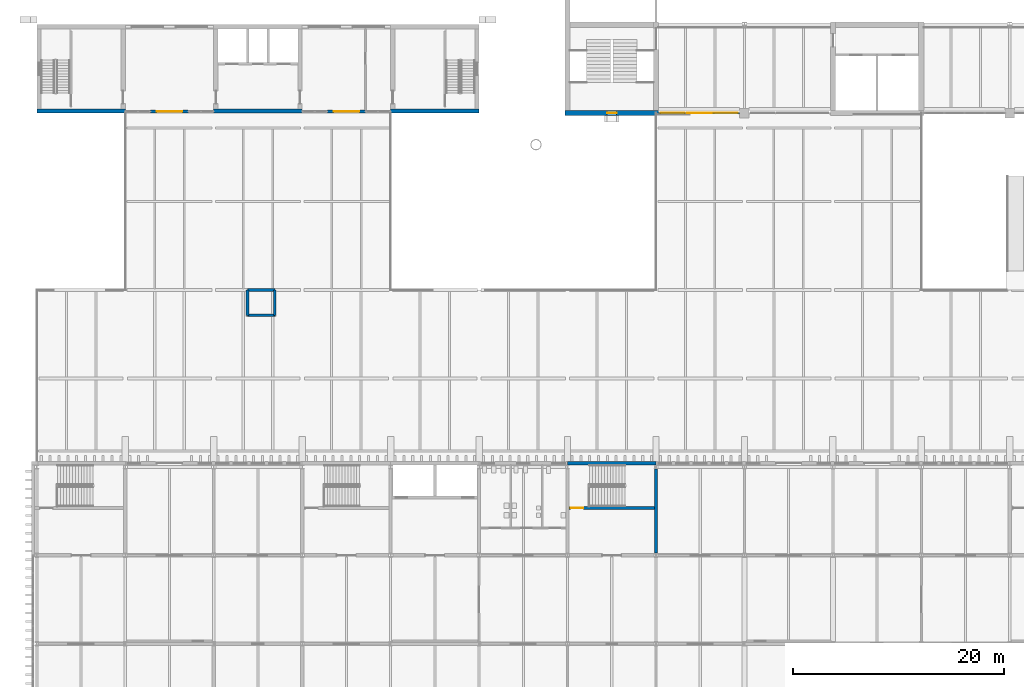
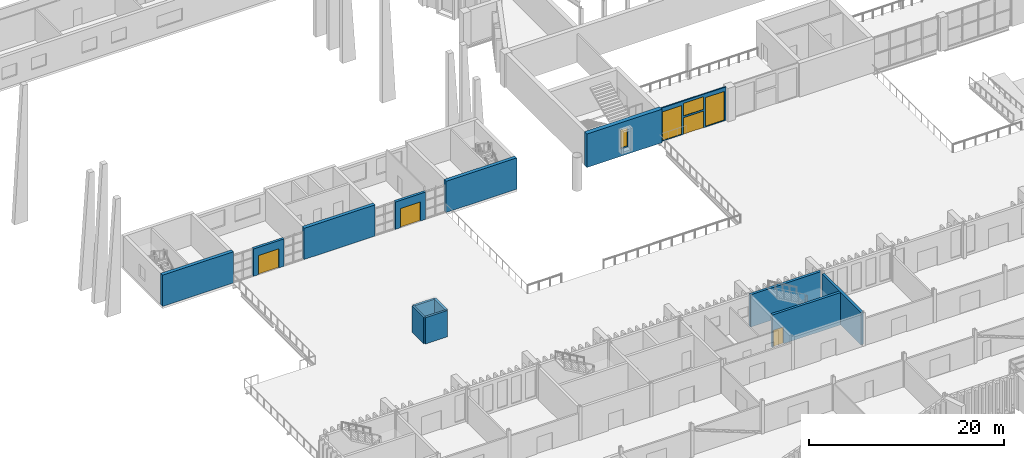
# One storey, part 59 of 96: 14 walls, 4 doors, 4 windows, 8 openings.
"""IFC4 building model written with IfcOpenShell, lengths in metres."""

from ifc_helpers import new_model, si_unit, direction, frame, frame_2d, origin, place, context, subcontext, project, spatial, rectangle, extrude, material, layer, layer_set, type_object, element, fill, save


model = new_model("IFC4")

# Units and contexts
model_context = context("Model", 3, precision=1e-05, world=origin(), true_north=direction((0.0, 1.0)))
body_context = subcontext(model_context, "Body", "Model", "MODEL_VIEW")
ifc_project = project(units=[si_unit("LENGTHUNIT", "METRE"), si_unit("AREAUNIT", "SQUARE_METRE"), si_unit("VOLUMEUNIT", "CUBIC_METRE"), si_unit("PLANEANGLEUNIT", "RADIAN"), si_unit("MASSUNIT", "GRAM", prefix="KILO")], contexts=[model_context])

# Site, building, storey
site_placement = place(None, origin())
site = spatial("IfcSite", under=ifc_project, at=site_placement, CompositionType="ELEMENT")
building_placement = place(site_placement, origin())
building = spatial("IfcBuilding", under=site, at=building_placement, Name="Cresset Court Congress Hotel", CompositionType="ELEMENT")
storey_placement = place(building_placement, frame((0.0, 0.0, 6.0)))
storey = spatial("IfcBuildingStorey", under=building, at=storey_placement, Name="L01", CompositionType="ELEMENT", Elevation=6.0)

# Wall
ifc_material_1 = material(Name="Concrete C50", Category="concrete")
ifc_layer_1 = layer(ifc_material_1, 0.300048828125)
ifc_layer_set_1 = layer_set([ifc_layer_1], Name="Core wall 300 Concrete C50")
wall_type_1 = type_object("IfcWallType", Name="Core wall 300 Concrete C50", PredefinedType="SHEAR", material=ifc_layer_set_1)
wall_1_placement = place(storey_placement, frame((67.199951171875, 17.0, 0.0), z_axis=(0.0, 0.0, 1.0), x_axis=(0.0, 1.0, 0.0)))
element("IfcWall", 1, at=wall_1_placement, inside=storey, type_object=wall_type_1, Name="Core wall ST-B3", PredefinedType="SHEAR", context=body_context, shape_type="SweptSolid", body=[
    extrude(rectangle(XDim=8.0, YDim=0.300048828125, at=frame_2d((4.0, 0.0))), origin(), (0.0, 0.0, 1.0), 4.050048828125),
])

# Wall, opening, door
wall_2_placement = place(storey_placement, frame((58.949951171875, 21.300048828125, 0.0), z_axis=(0.0, 0.0, 1.0), x_axis=(1.0, 0.0, 0.0)))
wall_2 = element("IfcWall", 2, at=wall_2_placement, inside=storey, type_object=wall_type_1, Name="Core wall ST-B3", PredefinedType="SHEAR", context=body_context, shape_type="SweptSolid", body=[
    extrude(rectangle(XDim=8.10009765625, YDim=0.300048828125, at=frame_2d((4.050048828125, 0.0))), origin(), (0.0, 0.0, 1.0), 4.050048828125),
])
opening_1_placement = place(wall_2_placement, frame((0.14990234375, 0.0, 0.0)))
opening_1 = element("IfcOpeningElement", 3, at=opening_1_placement, cuts=wall_2, Name="Opening DB-01-49", PredefinedType="OPENING", context=body_context, shape_type="SweptSolid", body=[
    extrude(rectangle(XDim=1.199951171875, YDim=2.10009765625, at=frame_2d((0.60009765625, 1.050048828125))), frame((0.0, 0.159912109375, 0.0), z_axis=(0.0, -1.0, 0.0), x_axis=(1.0, 0.0, 0.0)), (0.0, 0.0, 1.0), 0.320068359375),
])
ifc_material_2 = material(Name="Timber and steel frame", Category="steel")
door_type_1 = type_object("IfcDoorType", Name="Stair fire door FD60 1200x2100", OperationType="SINGLE_SWING_LEFT", PredefinedType="DOOR", material=ifc_material_2)
door_1_placement = place(opening_1_placement, origin())
door_1 = element("IfcDoor", 4, at=door_1_placement, inside=storey, type_object=door_type_1, Name="Stair door ST-B3", OperationType="SINGLE_SWING_LEFT", OverallHeight=2.10009765625, OverallWidth=1.199951171875, PredefinedType="DOOR", context=body_context, shape_type="SweptSolid", body=[
    extrude(rectangle(XDim=1.199951171875, YDim=2.10009765625, at=frame_2d((0.60009765625, 1.050048828125))), frame((0.0, 0.02490234375, 0.0), z_axis=(0.0, -1.0, 0.0), x_axis=(1.0, 0.0, 0.0)), (0.0, 0.0, 1.0), 0.050048828125),
])
fill(opening_1, door_1)

# Wall
ifc_material_3 = material(Name="Concrete C50", Category="concrete")
ifc_layer_2 = layer(ifc_material_3, 0.300048828125)
ifc_layer_set_2 = layer_set([ifc_layer_2], Name="Core wall 300 Concrete C50 external")
wall_type_2 = type_object("IfcWallType", Name="Core wall 300 Concrete C50 external", PredefinedType="SHEAR", material=ifc_layer_set_2)
wall_3_placement = place(storey_placement, frame((58.800048828125, 25.550048828125, 0.0), z_axis=(0.0, 0.0, 1.0), x_axis=(1.0, 0.0, 0.0)))
element("IfcWall", 5, at=wall_3_placement, inside=storey, type_object=wall_type_2, Name="Core wall ST-B3", PredefinedType="SHEAR", context=body_context, shape_type="SweptSolid", body=[
    extrude(rectangle(XDim=8.39990234375, YDim=0.300048828125, at=frame_2d((4.199951171875, 0.0))), origin(), (0.0, 0.0, 1.0), 4.050048828125),
])

# Wall, openings, door, windows
ifc_material_4 = material(Name="Aluminium and glass", Category="aluminium")
ifc_layer_3 = layer(ifc_material_4, 0.14990234375)
ifc_layer_set_3 = layer_set([ifc_layer_3], Name="Entrance screen wall 150")
wall_type_3 = type_object("IfcWallType", Name="Entrance screen wall 150", PredefinedType="SOLIDWALL", material=ifc_layer_set_3)
wall_4_placement = place(storey_placement, frame((67.449951171875, 58.800048828125, 0.0), z_axis=(0.0, 0.0, 1.0), x_axis=(1.0, 0.0, 0.0)))
wall_4 = element("IfcWall", 6, at=wall_4_placement, inside=storey, type_object=wall_type_3, Name="Screen wall CX-011", PredefinedType="SOLIDWALL", context=body_context, shape_type="SweptSolid", body=[
    extrude(rectangle(XDim=7.699951171875, YDim=0.14990234375, at=frame_2d((3.85009765625, 0.0))), origin(), (0.0, 0.0, 1.0), 4.199951171875),
])
opening_2_placement = place(wall_4_placement, frame((2.64990234375, 0.0, 0.0)))
opening_2 = element("IfcOpeningElement", 7, at=opening_2_placement, cuts=wall_4, Name="Opening DC-01-40", PredefinedType="OPENING", context=body_context, shape_type="SweptSolid", body=[
    extrude(rectangle(XDim=2.39990234375, YDim=2.10009765625, at=frame_2d((1.199951171875, 1.050048828125))), frame((0.0, 0.0849609375, 0.0), z_axis=(0.0, -1.0, 0.0), x_axis=(1.0, 0.0, 0.0)), (0.0, 0.0, 1.0), 0.169921875),
])
opening_3_placement = place(wall_4_placement, frame((0.199951171875, 0.0, 0.10009765625)))
opening_3 = element("IfcOpeningElement", 8, at=opening_3_placement, cuts=wall_4, Name="Opening NC-01-11", PredefinedType="OPENING", context=body_context, shape_type="SweptSolid", body=[
    extrude(rectangle(XDim=2.25, YDim=3.60009765625, at=frame_2d((1.125, 1.800048828125))), frame((0.0, 0.0849609375, 0.0), z_axis=(0.0, -1.0, 0.0), x_axis=(1.0, 0.0, 0.0)), (0.0, 0.0, 1.0), 0.169921875),
])
opening_4_placement = place(wall_4_placement, frame((5.25, 0.0, 0.10009765625)))
opening_4 = element("IfcOpeningElement", 9, at=opening_4_placement, cuts=wall_4, Name="Opening NC-01-12", PredefinedType="OPENING", context=body_context, shape_type="SweptSolid", body=[
    extrude(rectangle(XDim=2.25, YDim=3.60009765625, at=frame_2d((1.125, 1.800048828125))), frame((0.0, 0.0849609375, 0.0), z_axis=(0.0, -1.0, 0.0), x_axis=(1.0, 0.0, 0.0)), (0.0, 0.0, 1.0), 0.169921875),
])
opening_5_placement = place(wall_4_placement, frame((2.64990234375, 0.0, 2.300048828125)))
opening_5 = element("IfcOpeningElement", 10, at=opening_5_placement, cuts=wall_4, Name="Opening NC-01-13", PredefinedType="OPENING", context=body_context, shape_type="SweptSolid", body=[
    extrude(rectangle(XDim=2.39990234375, YDim=1.60009765625, at=frame_2d((1.199951171875, 0.800048828125))), frame((0.0, 0.0849609375, 0.0), z_axis=(0.0, -1.0, 0.0), x_axis=(1.0, 0.0, 0.0)), (0.0, 0.0, 1.0), 0.169921875),
])
ifc_material_5 = material(Name="Aluminium and glass", Category="aluminium")
door_type_2 = type_object("IfcDoorType", Name="Double swing door 2400x2100", OperationType="DOUBLE_DOOR_DOUBLE_SWING", PredefinedType="DOOR", material=ifc_material_5)
door_2_placement = place(opening_2_placement, origin())
door_2 = element("IfcDoor", 11, at=door_2_placement, inside=storey, type_object=door_type_2, Name="Entrance door L01 1", OperationType="DOUBLE_DOOR_DOUBLE_SWING", OverallHeight=2.10009765625, OverallWidth=2.39990234375, PredefinedType="DOOR", context=body_context, shape_type="SweptSolid", body=[
    extrude(rectangle(XDim=2.39990234375, YDim=2.10009765625, at=frame_2d((1.199951171875, 1.050048828125))), frame((0.0, 0.02490234375, 0.0), z_axis=(0.0, -1.0, 0.0), x_axis=(1.0, 0.0, 0.0)), (0.0, 0.0, 1.0), 0.050048828125),
])
fill(opening_2, door_2)
ifc_material_6 = material(Name="Aluminium and glass", Category="aluminium")
window_type_1 = type_object("IfcWindowType", Name="Fixed window 2250x3600", PartitioningType="SINGLE_PANEL", PredefinedType="WINDOW", material=ifc_material_6)
window_1_placement = place(opening_3_placement, origin())
window_1 = element("IfcWindow", 12, at=window_1_placement, inside=storey, type_object=window_type_1, Name="Window NC-01-11", OverallHeight=3.60009765625, OverallWidth=2.25, PartitioningType="SINGLE_PANEL", PredefinedType="WINDOW", context=body_context, shape_type="SweptSolid", body=[
    extrude(rectangle(XDim=2.25, YDim=3.60009765625, at=frame_2d((1.125, 1.800048828125))), frame((0.0, 0.030029296875, 0.0), z_axis=(0.0, -1.0, 0.0), x_axis=(1.0, 0.0, 0.0)), (0.0, 0.0, 1.0), 0.06005859375),
])
fill(opening_3, window_1)
window_2_placement = place(opening_4_placement, origin())
window_2 = element("IfcWindow", 13, at=window_2_placement, inside=storey, type_object=window_type_1, Name="Window NC-01-12", OverallHeight=3.60009765625, OverallWidth=2.25, PartitioningType="SINGLE_PANEL", PredefinedType="WINDOW", context=body_context, shape_type="SweptSolid", body=[
    extrude(rectangle(XDim=2.25, YDim=3.60009765625, at=frame_2d((1.125, 1.800048828125))), frame((0.0, 0.030029296875, 0.0), z_axis=(0.0, -1.0, 0.0), x_axis=(1.0, 0.0, 0.0)), (0.0, 0.0, 1.0), 0.06005859375),
])
fill(opening_4, window_2)
ifc_material_7 = material(Name="Aluminium and glass", Category="aluminium")
window_type_2 = type_object("IfcWindowType", Name="Fixed window 2400x1600", PartitioningType="SINGLE_PANEL", PredefinedType="WINDOW", material=ifc_material_7)
window_3_placement = place(opening_5_placement, origin())
window_3 = element("IfcWindow", 14, at=window_3_placement, inside=storey, type_object=window_type_2, Name="Window NC-01-13", OverallHeight=1.60009765625, OverallWidth=2.39990234375, PartitioningType="SINGLE_PANEL", PredefinedType="WINDOW", context=body_context, shape_type="SweptSolid", body=[
    extrude(rectangle(XDim=2.39990234375, YDim=1.60009765625, at=frame_2d((1.199951171875, 0.800048828125))), frame((0.0, 0.030029296875, 0.0), z_axis=(0.0, -1.0, 0.0), x_axis=(1.0, 0.0, 0.0)), (0.0, 0.0, 1.0), 0.06005859375),
])
fill(opening_5, window_3)

# Wall, opening, window
ifc_material_8 = material(Name="Limestone-faced precast concrete C50", Category="masonry")
ifc_layer_4 = layer(ifc_material_8, 0.5)
ifc_layer_set_4 = layer_set([ifc_layer_4], Name="Hall perimeter wall 500")
wall_type_4 = type_object("IfcWallType", Name="Hall perimeter wall 500", PredefinedType="SOLIDWALL", material=ifc_layer_set_4)
wall_5_placement = place(storey_placement, frame((67.449951171875, 58.800048828125, 0.0), z_axis=(0.0, 0.0, 1.0), x_axis=(-1.0, 0.0, 0.0)))
wall_5 = element("IfcWall", 15, at=wall_5_placement, inside=storey, type_object=wall_type_4, Name="Wall CW-SL01-1", PredefinedType="SOLIDWALL", context=body_context, shape_type="SweptSolid", body=[
    extrude(rectangle(XDim=8.89990234375, YDim=0.5, at=frame_2d((4.449951171875, 0.0))), origin(), (0.0, 0.0, 1.0), 4.199951171875),
])
opening_6_placement = place(wall_5_placement, frame((4.0, 0.0, 0.89990234375)))
opening_6 = element("IfcOpeningElement", 16, at=opening_6_placement, cuts=wall_5, Name="Opening NC-01-C1", PredefinedType="OPENING", context=body_context, shape_type="SweptSolid", body=[
    extrude(rectangle(XDim=0.89990234375, YDim=2.39990234375, at=frame_2d((0.449951171875, 1.199951171875))), frame((0.0, 0.260009765625, 0.0), z_axis=(0.0, -1.0, 0.0), x_axis=(1.0, 0.0, 0.0)), (0.0, 0.0, 1.0), 0.52001953125),
])
ifc_material_9 = material(Name="Aluminium and glass", Category="aluminium")
window_type_3 = type_object("IfcWindowType", Name="Fixed window 900x2400", PartitioningType="SINGLE_PANEL", PredefinedType="WINDOW", material=ifc_material_9)
window_4_placement = place(opening_6_placement, origin())
window_4 = element("IfcWindow", 17, at=window_4_placement, inside=storey, type_object=window_type_3, Name="Window NC-01-C1", OverallHeight=2.39990234375, OverallWidth=0.89990234375, PartitioningType="SINGLE_PANEL", PredefinedType="WINDOW", context=body_context, shape_type="SweptSolid", body=[
    extrude(rectangle(XDim=0.89990234375, YDim=2.39990234375, at=frame_2d((0.449951171875, 1.199951171875))), frame((0.0, 0.030029296875, 0.0), z_axis=(0.0, -1.0, 0.0), x_axis=(1.0, 0.0, 0.0)), (0.0, 0.0, 1.0), 0.06005859375),
])
fill(opening_6, window_4)

# Walls
ifc_material_10 = material(Name="Concrete C50", Category="concrete")
ifc_layer_5 = layer(ifc_material_10, 0.25)
ifc_layer_set_5 = layer_set([ifc_layer_5], Name="Lift shaft wall 250")
wall_type_5 = type_object("IfcWallType", Name="Lift shaft wall 250", PredefinedType="SOLIDWALL", material=ifc_layer_set_5)
for number, where, z_axis, x_axis, name in (
    (18, (28.39990234375, 39.60009765625, 0.0), (0.0, 0.0, 1.0), (1.0, 0.0, 0.0), "S.lift.L01.LF-S2.S"),
    (19, (28.39990234375, 42.0, 0.0), (0.0, 0.0, 1.0), (1.0, 0.0, 0.0), "S.lift.L01.LF-S2.N"),
):
    element("IfcWall", number, at=place(storey_placement, frame(where, z_axis=z_axis, x_axis=x_axis)), inside=storey, type_object=wall_type_5, Name=name, PredefinedType="SOLIDWALL", context=body_context, shape_type="SweptSolid", body=[
        extrude(rectangle(XDim=2.60009765625, YDim=0.25, at=frame_2d((1.300048828125, 0.0))), origin(), (0.0, 0.0, 1.0), 3.300048828125),
    ])
for number, where, z_axis, x_axis, name in (
    (20, (28.39990234375, 39.60009765625, 0.0), (0.0, 0.0, 1.0), (0.0, 1.0, 0.0), "S.lift.L01.LF-S2.W"),
    (21, (31.0, 39.60009765625, 0.0), (0.0, 0.0, 1.0), (0.0, 1.0, 0.0), "S.lift.L01.LF-S2.E"),
):
    element("IfcWall", number, at=place(storey_placement, frame(where, z_axis=z_axis, x_axis=x_axis)), inside=storey, type_object=wall_type_5, Name=name, PredefinedType="SOLIDWALL", context=body_context, shape_type="SweptSolid", body=[
        extrude(rectangle(XDim=2.39990234375, YDim=0.25, at=frame_2d((1.199951171875, 0.0))), origin(), (0.0, 0.0, 1.0), 3.300048828125),
    ])

# Wall, opening, door
ifc_material_11 = material(Name="Precast concrete C50", Category="concrete")
ifc_layer_6 = layer(ifc_material_11, 0.300048828125)
ifc_layer_set_6 = layer_set([ifc_layer_6], Name="Precast external wall 300 C50")
wall_type_6 = type_object("IfcWallType", Name="Precast external wall 300 C50", PredefinedType="SOLIDWALL", material=ifc_layer_set_6)
wall_6_placement = place(storey_placement, frame((19.199951171875, 58.949951171875, 0.0), z_axis=(0.0, 0.0, 1.0), x_axis=(1.0, 0.0, 0.0)))
wall_6 = element("IfcWall", 22, at=wall_6_placement, inside=storey, type_object=wall_type_6, Name="Foyer entrance wall L01 W", PredefinedType="SOLIDWALL", context=body_context, shape_type="SweptSolid", body=[
    extrude(rectangle(XDim=3.60009765625, YDim=0.300048828125, at=frame_2d((1.800048828125, 0.0))), origin(), (0.0, 0.0, 1.0), 3.419921875),
])
opening_7_placement = place(wall_6_placement, frame((0.60009765625, 0.0, 0.0)))
opening_7 = element("IfcOpeningElement", 23, at=opening_7_placement, cuts=wall_6, Name="Opening DD-01-01", PredefinedType="OPENING", context=body_context, shape_type="SweptSolid", body=[
    extrude(rectangle(XDim=2.39990234375, YDim=2.39990234375, at=frame_2d((1.199951171875, 1.199951171875))), frame((0.0, 0.159912109375, 0.0), z_axis=(0.0, -1.0, 0.0), x_axis=(1.0, 0.0, 0.0)), (0.0, 0.0, 1.0), 0.320068359375),
])
ifc_material_12 = material(Name="Timber door leaf", Category="wood")
door_type_3 = type_object("IfcDoorType", Name="Entrance double door 2400x2400", OperationType="DOUBLE_DOOR_SINGLE_SWING", PredefinedType="DOOR", material=ifc_material_12)
door_3_placement = place(opening_7_placement, origin())
door_3 = element("IfcDoor", 24, at=door_3_placement, inside=storey, type_object=door_type_3, Name="Entrance double door DD-01-01", OperationType="DOUBLE_DOOR_SINGLE_SWING", OverallHeight=2.39990234375, OverallWidth=2.39990234375, PredefinedType="DOOR", context=body_context, shape_type="SweptSolid", body=[
    extrude(rectangle(XDim=2.39990234375, YDim=2.39990234375, at=frame_2d((1.199951171875, 1.199951171875))), frame((0.0, 0.02490234375, 0.0), z_axis=(0.0, -1.0, 0.0), x_axis=(1.0, 0.0, 0.0)), (0.0, 0.0, 1.0), 0.050048828125),
])
fill(opening_7, door_3)

wall_7_placement = place(storey_placement, frame((36.0, 58.949951171875, 0.0), z_axis=(0.0, 0.0, 1.0), x_axis=(1.0, 0.0, 0.0)))
wall_7 = element("IfcWall", 25, at=wall_7_placement, inside=storey, type_object=wall_type_6, Name="Foyer entrance wall L01 E", PredefinedType="SOLIDWALL", context=body_context, shape_type="SweptSolid", body=[
    extrude(rectangle(XDim=3.60009765625, YDim=0.300048828125, at=frame_2d((1.800048828125, 0.0))), origin(), (0.0, 0.0, 1.0), 3.419921875),
])
opening_8_placement = place(wall_7_placement, frame((0.60009765625, 0.0, 0.0)))
opening_8 = element("IfcOpeningElement", 26, at=opening_8_placement, cuts=wall_7, Name="Opening DD-01-02", PredefinedType="OPENING", context=body_context, shape_type="SweptSolid", body=[
    extrude(rectangle(XDim=2.39990234375, YDim=2.39990234375, at=frame_2d((1.199951171875, 1.199951171875))), frame((0.0, 0.159912109375, 0.0), z_axis=(0.0, -1.0, 0.0), x_axis=(1.0, 0.0, 0.0)), (0.0, 0.0, 1.0), 0.320068359375),
])
door_4_placement = place(opening_8_placement, origin())
door_4 = element("IfcDoor", 27, at=door_4_placement, inside=storey, type_object=door_type_3, Name="Entrance double door DD-01-02", OperationType="DOUBLE_DOOR_SINGLE_SWING", OverallHeight=2.39990234375, OverallWidth=2.39990234375, PredefinedType="DOOR", context=body_context, shape_type="SweptSolid", body=[
    extrude(rectangle(XDim=2.39990234375, YDim=2.39990234375, at=frame_2d((1.199951171875, 1.199951171875))), frame((0.0, 0.02490234375, 0.0), z_axis=(0.0, -1.0, 0.0), x_axis=(1.0, 0.0, 0.0)), (0.0, 0.0, 1.0), 0.050048828125),
])
fill(opening_8, door_4)

# Walls
ifc_material_13 = material(Name="Concrete C50", Category="concrete")
ifc_layer_7 = layer(ifc_material_13, 0.39990234375)
ifc_layer_set_7 = layer_set([ifc_layer_7], Name="RC core wall 400 C50")
wall_type_7 = type_object("IfcWallType", Name="RC core wall 400 C50", PredefinedType="SOLIDWALL", material=ifc_layer_set_7)
for number, where, z_axis, x_axis, name in (
    (28, (8.39990234375, 59.0, 0.0), (0.0, 0.0, 1.0), (1.0, 0.0, 0.0), "ST-D1 south wall"),
    (29, (25.199951171875, 59.0, 0.0), (0.0, 0.0, 1.0), (1.0, 0.0, 0.0), "LC-D1 south wall"),
):
    element("IfcWall", number, at=place(storey_placement, frame(where, z_axis=z_axis, x_axis=x_axis)), inside=storey, type_object=wall_type_7, Name=name, PredefinedType="SOLIDWALL", context=body_context, shape_type="SweptSolid", body=[
        extrude(rectangle(XDim=8.400146484375, YDim=0.39990234375, at=frame_2d((4.2001953125, 0.0))), origin(), (0.0, 0.0, 1.0), 3.919921875),
    ])
wall_8_placement = place(storey_placement, frame((42.0, 59.0, 0.0), z_axis=(0.0, 0.0, 1.0), x_axis=(1.0, 0.0, 0.0)))
element("IfcWall", 30, at=wall_8_placement, inside=storey, type_object=wall_type_7, Name="ST-D2 south wall", PredefinedType="SOLIDWALL", context=body_context, shape_type="SweptSolid", body=[
    extrude(rectangle(XDim=8.39990234375, YDim=0.39990234375, at=frame_2d((4.199951171875, 0.0))), origin(), (0.0, 0.0, 1.0), 3.919921875),
])

save(model, "model.ifc")
